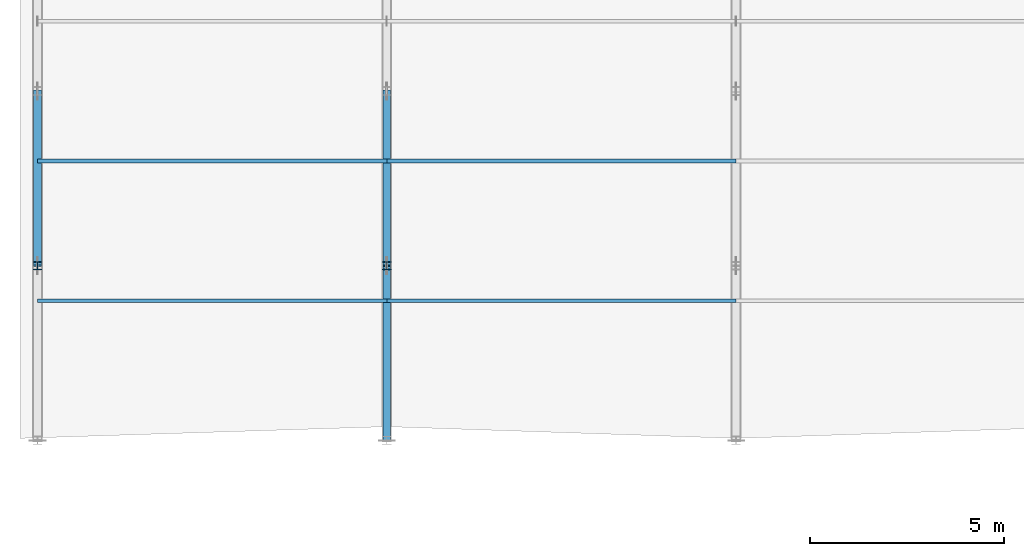
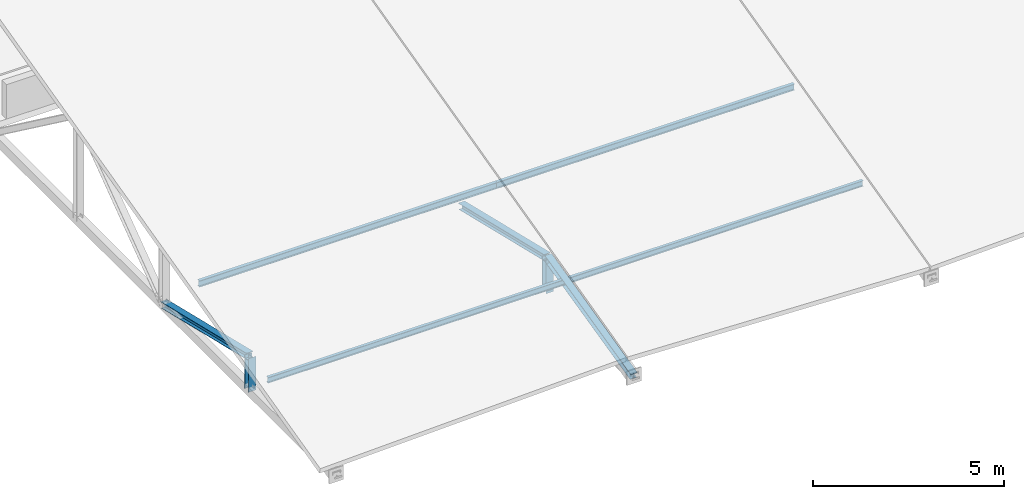
# One storey, part 10 of 67: 9 members.
"""IFC4 building model written with IfcOpenShell, lengths in metres."""

from ifc_helpers import new_model, si_unit, direction, frame, origin, origin_2d, place, context, subcontext, project, spatial, i_section, extrude, material, material_profile, profile_set, type_object, element, save


model = new_model("IFC4")

# Units and contexts
model_context = context("Model", 3, precision=1e-05, world=origin(), true_north=direction((0.0, 1.0)))
body_context = subcontext(model_context, "Body", "Model", "MODEL_VIEW")
ifc_project = project(units=[si_unit("LENGTHUNIT", "METRE"), si_unit("AREAUNIT", "SQUARE_METRE"), si_unit("VOLUMEUNIT", "CUBIC_METRE"), si_unit("PLANEANGLEUNIT", "RADIAN"), si_unit("MASSUNIT", "GRAM", prefix="KILO")], contexts=[model_context])

# Site, building, storey
site_placement = place(None, origin())
site = spatial("IfcSite", under=ifc_project, at=site_placement, CompositionType="ELEMENT")
building_placement = place(site_placement, origin())
building = spatial("IfcBuilding", under=site, at=building_placement, Name="Montelvaro Courts of Justice", CompositionType="ELEMENT")
storey_placement = place(building_placement, frame((0.0, 0.0, 18.89990234375)))
storey = spatial("IfcBuildingStorey", under=building, at=storey_placement, Name="L04", CompositionType="ELEMENT", Elevation=18.89990234375)

# Members
ifc_material = material(Name="Steel S355", Category="steel")
ifc_material_profile_1 = material_profile(ifc_material, i_section(OverallWidth=0.199951171875, OverallDepth=0.18994140625, WebThickness=0.006591796875, FlangeThickness=0.010009765625, at=origin_2d()), Name="HEA 200")
ifc_profile_set_1 = profile_set([ifc_material_profile_1], Name="Steel S355")
member_type_1 = type_object("IfcMemberType", Name="Mem_HEA200_Brace", PredefinedType="BRACE", material=ifc_profile_set_1)
for number, where, z_axis, x_axis, name in (
    (1, (18.0, 28.5, 0.775146484375), (0.0, 0.97263439265, -0.232340995597), (-1.0, 0.0, 0.0), "Roof Truss Web MB-02 ROOF-V3-VTR01-W2"),
    (2, (27.0, 24.0, -0.2998046875), (0.0, 0.97263439265, 0.232340995597), (-1.0, 0.0, 0.0), "Roof Truss Web MB-02 ROOF-V3-VTR02-W1"),
    (3, (27.0, 28.5, 0.775146484375), (0.0, 0.97263439265, -0.232340995597), (-1.0, 0.0, 0.0), "Roof Truss Web MB-02 ROOF-V3-VTR02-W2"),
):
    element("IfcMember", number, at=place(storey_placement, frame(where, z_axis=z_axis, x_axis=x_axis)), inside=storey, type_object=member_type_1, Name=name, PredefinedType="BRACE", context=body_context, shape_type="SweptSolid", body=[
        extrude(i_section(OverallWidth=0.199951171875, OverallDepth=0.18994140625, WebThickness=0.006591796875, FlangeThickness=0.010009765625, at=origin_2d()), origin(), (0.0, 0.0, 1.0), 4.626708984375),
    ])
ifc_material_profile_2 = material_profile(ifc_material, i_section(OverallWidth=0.219970703125, OverallDepth=0.2099609375, WebThickness=0.007080078125, FlangeThickness=0.010986328125, at=origin_2d()), Name="HEA 220")
ifc_profile_set_2 = profile_set([ifc_material_profile_2], Name="Steel S355")
member_type_2 = type_object("IfcMemberType", Name="Mem_HEA220_Post", PredefinedType="POST", material=ifc_profile_set_2)
for number, where, z_axis, x_axis, name in (
    (4, (18.0, 28.5, -0.2998046875), (0.0, 0.0, 1.0), (1.0, 0.0, 0.0), "Roof Truss Post MP-03 ROOF-V3-VTR01-V1"),
    (5, (27.0, 28.5, -0.2998046875), (0.0, 0.0, 1.0), (1.0, 0.0, 0.0), "Roof Truss Post MP-03 ROOF-V3-VTR02-V1"),
):
    element("IfcMember", number, at=place(storey_placement, frame(where, z_axis=z_axis, x_axis=x_axis)), inside=storey, type_object=member_type_2, Name=name, PredefinedType="POST", context=body_context, shape_type="SweptSolid", body=[
        extrude(i_section(OverallWidth=0.219970703125, OverallDepth=0.2099609375, WebThickness=0.007080078125, FlangeThickness=0.010986328125, at=origin_2d()), origin(), (0.0, 0.0, 1.0), 1.074951171875),
    ])
ifc_material_profile_3 = material_profile(ifc_material, i_section(OverallWidth=0.091064453125, OverallDepth=0.179931640625, WebThickness=0.00537109375, FlangeThickness=0.008056640625, at=origin_2d()), Name="IPE 180")
ifc_profile_set_3 = profile_set([ifc_material_profile_3], Name="Steel S355")
member_type_3 = type_object("IfcMemberType", Name="Mem_IPE180_Purlin", PredefinedType="PURLIN", material=ifc_profile_set_3)
for number, where, z_axis, x_axis, name in (
    (6, (18.0, 27.60009765625, 0.550048828125), (1.0, 0.0, 0.0), (0.0, 1.0, 0.0), "Roof Purlin MR-01 ROOF-V3-PRL-01-1M"),
    (7, (27.0, 27.60009765625, 0.550048828125), (1.0, 0.0, 0.0), (0.0, 1.0, 0.0), "Roof Purlin MR-01 ROOF-V3-PRL-02-1M"),
):
    element("IfcMember", number, at=place(storey_placement, frame(where, z_axis=z_axis, x_axis=x_axis)), inside=storey, type_object=member_type_3, Name=name, PredefinedType="PURLIN", context=body_context, shape_type="SweptSolid", body=[
        extrude(i_section(OverallWidth=0.091064453125, OverallDepth=0.179931640625, WebThickness=0.00537109375, FlangeThickness=0.008056640625, at=origin_2d()), origin(), (0.0, 0.0, 1.0), 9.0),
    ])
ifc_material_profile_4 = material_profile(ifc_material, i_section(OverallWidth=0.10009765625, OverallDepth=0.199951171875, WebThickness=0.005615234375, FlangeThickness=0.008544921875, at=origin_2d()), Name="IPE 200")
ifc_profile_set_4 = profile_set([ifc_material_profile_4], Name="Steel S355")
member_type_4 = type_object("IfcMemberType", Name="Mem_IPE200_Purlin", PredefinedType="PURLIN", material=ifc_profile_set_4)
for number, where, z_axis, x_axis, name in (
    (8, (18.0, 31.199951171875, 1.4501953125), (1.0, 0.0, 0.0), (0.0, 1.0, 0.0), "Roof Purlin MR-02 ROOF-V3-PRL-01-2M"),
    (9, (27.0, 31.199951171875, 1.4501953125), (1.0, 0.0, 0.0), (0.0, 1.0, 0.0), "Roof Purlin MR-02 ROOF-V3-PRL-02-2M"),
):
    element("IfcMember", number, at=place(storey_placement, frame(where, z_axis=z_axis, x_axis=x_axis)), inside=storey, type_object=member_type_4, Name=name, PredefinedType="PURLIN", context=body_context, shape_type="SweptSolid", body=[
        extrude(i_section(OverallWidth=0.10009765625, OverallDepth=0.199951171875, WebThickness=0.005615234375, FlangeThickness=0.008544921875, at=origin_2d()), origin(), (0.0, 0.0, 1.0), 9.0),
    ])

save(model, "model.ifc")
